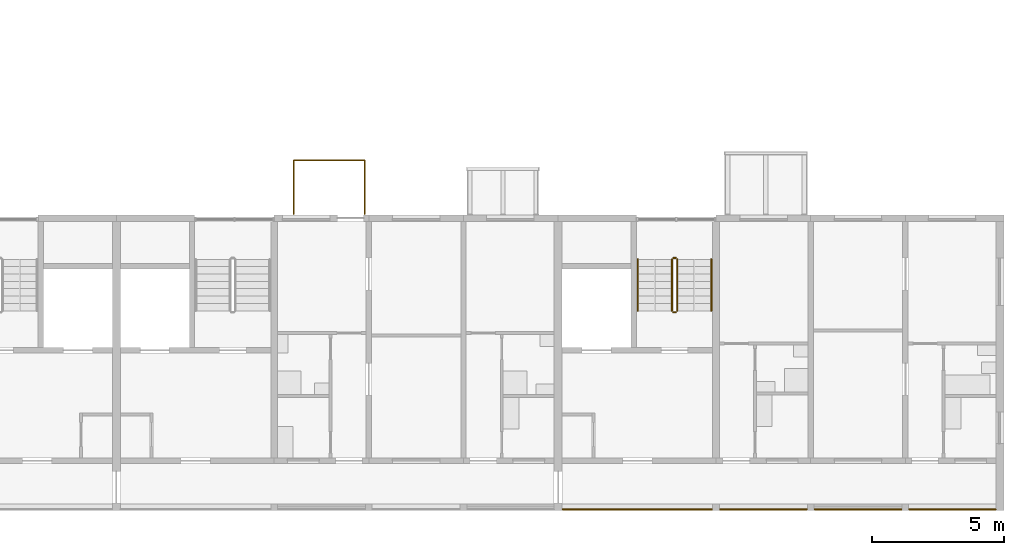
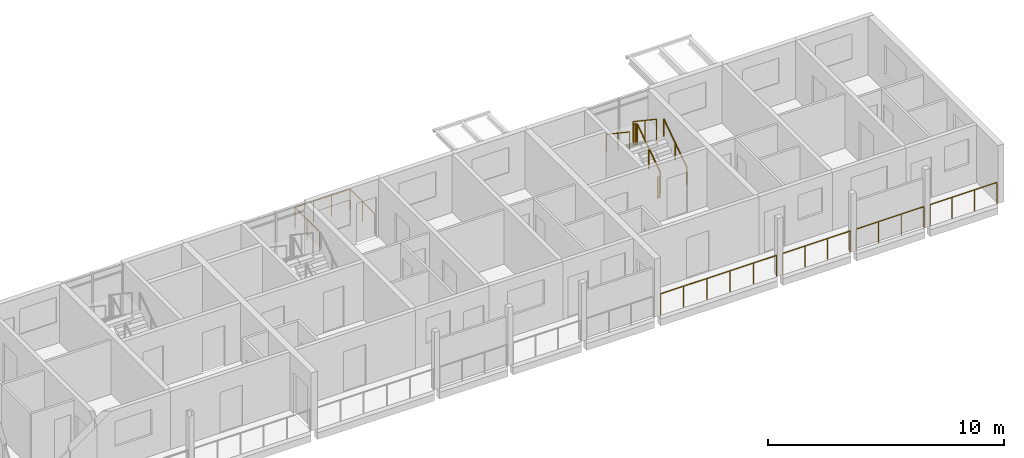
# One storey, part 89 of 94: 11 railings.
"""IFC4 building model written with IfcOpenShell, lengths in metres."""

from ifc_helpers import new_model, si_unit, direction, frame, origin, origin_2d, place, context, subcontext, project, spatial, circle, extrude, material, type_object, element, save


model = new_model("IFC4")

# Units and contexts
model_context = context("Model", 3, precision=1e-05, world=origin(), true_north=direction((0.0, 1.0)))
body_context = subcontext(model_context, "Body", "Model", "MODEL_VIEW")
ifc_project = project(units=[si_unit("LENGTHUNIT", "METRE"), si_unit("AREAUNIT", "SQUARE_METRE"), si_unit("VOLUMEUNIT", "CUBIC_METRE"), si_unit("PLANEANGLEUNIT", "RADIAN"), si_unit("MASSUNIT", "GRAM", prefix="KILO")], contexts=[model_context])

# Site, building, storey
site_placement = place(None, origin())
site = spatial("IfcSite", under=ifc_project, at=site_placement, CompositionType="ELEMENT")
building_placement = place(site_placement, origin())
building = spatial("IfcBuilding", under=site, at=building_placement, Name="Ridgestep Commons", CompositionType="ELEMENT")
storey_placement = place(building_placement, frame((0.0, 0.0, 24.0)))
storey = spatial("IfcBuildingStorey", under=building, at=storey_placement, Name="L08", CompositionType="ELEMENT", Elevation=24.0)

# Railings
ifc_material_1 = material(Name="Structural steel S355JR", Category="steel")
railing_type_1 = type_object("IfcRailingType", Name="Guard 1100", PredefinedType="GUARDRAIL", material=ifc_material_1)
railing_1_placement = place(storey_placement, frame((230.970947265625, 11.800048828125, 0.0)))
element("IfcRailing", 1, at=railing_1_placement, inside=storey, type_object=railing_type_1, Name="Gallery guard D 08.21", PredefinedType="GUARDRAIL", context=body_context, shape_type="SweptSolid", body=[
    extrude(circle(Radius=0.02392578125, at=origin_2d()), frame((0.0, 0.0, 1.076171875), z_axis=(1.0, 0.0, 0.0), x_axis=(0.0, 1.0, 0.0)), (0.0, 0.0, 1.0), 5.68310546875),
    extrude(circle(Radius=0.02099609375, at=origin_2d()), origin(), (0.0, 0.0, 1.0), 1.052001953125),
    extrude(circle(Radius=0.02099609375, at=origin_2d()), frame((1.13671875, 0.0, 0.0)), (0.0, 0.0, 1.0), 1.052001953125),
    extrude(circle(Radius=0.02099609375, at=origin_2d()), frame((2.273193359375, 0.0, 0.0)), (0.0, 0.0, 1.0), 1.052001953125),
    extrude(circle(Radius=0.02099609375, at=origin_2d()), frame((3.409912109375, 0.0, 0.0)), (0.0, 0.0, 1.0), 1.052001953125),
    extrude(circle(Radius=0.02099609375, at=origin_2d()), frame((4.54638671875, 0.0, 0.0)), (0.0, 0.0, 1.0), 1.052001953125),
    extrude(circle(Radius=0.02099609375, at=origin_2d()), frame((5.68310546875, 0.0, 0.0)), (0.0, 0.0, 1.0), 1.052001953125),
])
railing_2_placement = place(storey_placement, frame((236.946044921875, 11.800048828125, 0.0)))
element("IfcRailing", 2, at=railing_2_placement, inside=storey, type_object=railing_type_1, Name="Gallery guard D 08.22", PredefinedType="GUARDRAIL", context=body_context, shape_type="SweptSolid", body=[
    extrude(circle(Radius=0.02392578125, at=origin_2d()), frame((0.0, 0.0, 1.076171875), z_axis=(1.0, 0.0, 0.0), x_axis=(0.0, 1.0, 0.0)), (0.0, 0.0, 1.0), 3.307861328125),
    extrude(circle(Radius=0.02099609375, at=origin_2d()), origin(), (0.0, 0.0, 1.0), 1.052001953125),
    extrude(circle(Radius=0.02099609375, at=origin_2d()), frame((1.1025390625, 0.0, 0.0)), (0.0, 0.0, 1.0), 1.052001953125),
    extrude(circle(Radius=0.02099609375, at=origin_2d()), frame((2.205322265625, 0.0, 0.0)), (0.0, 0.0, 1.0), 1.052001953125),
    extrude(circle(Radius=0.02099609375, at=origin_2d()), frame((3.307861328125, 0.0, 0.0)), (0.0, 0.0, 1.0), 1.052001953125),
])
railing_3_placement = place(storey_placement, frame((240.5458984375, 11.800048828125, 0.0)))
element("IfcRailing", 3, at=railing_3_placement, inside=storey, type_object=railing_type_1, Name="Gallery guard D 08.23", PredefinedType="GUARDRAIL", context=body_context, shape_type="SweptSolid", body=[
    extrude(circle(Radius=0.02392578125, at=origin_2d()), frame((0.0, 0.0, 1.076171875), z_axis=(1.0, 0.0, 0.0), x_axis=(0.0, 1.0, 0.0)), (0.0, 0.0, 1.0), 3.30810546875),
    extrude(circle(Radius=0.02099609375, at=origin_2d()), origin(), (0.0, 0.0, 1.0), 1.052001953125),
    extrude(circle(Radius=0.02099609375, at=origin_2d()), frame((1.102783203125, 0.0, 0.0)), (0.0, 0.0, 1.0), 1.052001953125),
    extrude(circle(Radius=0.02099609375, at=origin_2d()), frame((2.205322265625, 0.0, 0.0)), (0.0, 0.0, 1.0), 1.052001953125),
    extrude(circle(Radius=0.02099609375, at=origin_2d()), frame((3.30810546875, 0.0, 0.0)), (0.0, 0.0, 1.0), 1.052001953125),
])
railing_4_placement = place(storey_placement, frame((244.14599609375, 11.800048828125, 0.0)))
element("IfcRailing", 4, at=railing_4_placement, inside=storey, type_object=railing_type_1, Name="Gallery guard D 08.24", PredefinedType="GUARDRAIL", context=body_context, shape_type="SweptSolid", body=[
    extrude(circle(Radius=0.02392578125, at=origin_2d()), frame((0.0, 0.0, 1.076171875), z_axis=(1.0, 0.0, 0.0), x_axis=(0.0, 1.0, 0.0)), (0.0, 0.0, 1.0), 3.282958984375),
    extrude(circle(Radius=0.02099609375, at=origin_2d()), origin(), (0.0, 0.0, 1.0), 1.052001953125),
    extrude(circle(Radius=0.02099609375, at=origin_2d()), frame((1.09423828125, 0.0, 0.0)), (0.0, 0.0, 1.0), 1.052001953125),
    extrude(circle(Radius=0.02099609375, at=origin_2d()), frame((2.188720703125, 0.0, 0.0)), (0.0, 0.0, 1.0), 1.052001953125),
    extrude(circle(Radius=0.02099609375, at=origin_2d()), frame((3.282958984375, 0.0, 0.0)), (0.0, 0.0, 1.0), 1.052001953125),
])
ifc_material_2 = material(Name="Structural steel S355JR", Category="steel")
railing_type_2 = type_object("IfcRailingType", Name="Stair guard 1100", PredefinedType="GUARDRAIL", material=ifc_material_2)
railing_5_placement = place(storey_placement, frame((235.324951171875, 19.35009765625, 0.1875)))
element("IfcRailing", 5, at=railing_5_placement, inside=storey, type_object=railing_type_2, Name="L08 D6C stair guard 1", PredefinedType="GUARDRAIL", context=body_context, shape_type="SweptSolid", body=[
    extrude(circle(Radius=0.02392578125, at=origin_2d()), frame((0.0, 0.0, 1.076171875), z_axis=(0.0, 0.830902050051, 0.556418712142), x_axis=(-1.0, 0.0, 0.0)), (0.0, 0.0, 1.0), 2.35888671875),
    extrude(circle(Radius=0.02099609375, at=origin_2d()), origin(), (0.0, 0.0, 1.0), 1.052001953125),
    extrude(circle(Radius=0.02099609375, at=origin_2d()), frame((0.0, 0.97998046875, 0.65625)), (0.0, 0.0, 1.0), 1.052001953125),
    extrude(circle(Radius=0.02099609375, at=origin_2d()), frame((0.0, 1.9599609375, 1.3125)), (0.0, 0.0, 1.0), 1.052001953125),
])
railing_6_placement = place(storey_placement, frame((235.27490234375, 21.360107421875, 1.5)))
element("IfcRailing", 6, at=railing_6_placement, inside=storey, type_object=railing_type_2, Name="L08 D6C stair guard 2", PredefinedType="GUARDRAIL", context=body_context, shape_type="SweptSolid", body=[
    extrude(circle(Radius=0.02392578125, at=origin_2d()), frame((0.0, 0.0, 1.076171875), z_axis=(-1.0, 0.0, 0.0), x_axis=(0.0, -1.0, 0.0)), (0.0, 0.0, 1.0), 0.099853515625),
    extrude(circle(Radius=0.02099609375, at=origin_2d()), origin(), (0.0, 0.0, 1.0), 1.052001953125),
    extrude(circle(Radius=0.02099609375, at=origin_2d()), frame((-0.099853515625, 0.0, 0.0)), (0.0, 0.0, 1.0), 1.052001953125),
])
railing_7_placement = place(storey_placement, frame((235.125, 21.31005859375, 1.6875)))
element("IfcRailing", 7, at=railing_7_placement, inside=storey, type_object=railing_type_2, Name="L08 D6C stair guard 3", PredefinedType="GUARDRAIL", context=body_context, shape_type="SweptSolid", body=[
    extrude(circle(Radius=0.02392578125, at=origin_2d()), frame((0.0, 0.0, 1.076171875), z_axis=(0.0, -0.830902050051, 0.556418712142), x_axis=(1.0, 0.0, 0.0)), (0.0, 0.0, 1.0), 2.35888671875),
    extrude(circle(Radius=0.02099609375, at=origin_2d()), origin(), (0.0, 0.0, 1.0), 1.052001953125),
    extrude(circle(Radius=0.02099609375, at=origin_2d()), frame((0.0, -0.97998046875, 0.65625)), (0.0, 0.0, 1.0), 1.052001953125),
    extrude(circle(Radius=0.02099609375, at=origin_2d()), frame((0.0, -1.9599609375, 1.3125)), (0.0, 0.0, 1.0), 1.052001953125),
])
railing_8_placement = place(storey_placement, frame((235.27490234375, 19.300048828125, 0.0)))
element("IfcRailing", 8, at=railing_8_placement, inside=storey, type_object=railing_type_2, Name="L08 D6C stair guard 4", PredefinedType="GUARDRAIL", context=body_context, shape_type="SweptSolid", body=[
    extrude(circle(Radius=0.02392578125, at=origin_2d()), frame((0.0, 0.0, 1.076171875), z_axis=(-1.0, 0.0, 0.0), x_axis=(0.0, -1.0, 0.0)), (0.0, 0.0, 1.0), 0.099853515625),
    extrude(circle(Radius=0.02099609375, at=origin_2d()), origin(), (0.0, 0.0, 1.0), 1.052001953125),
    extrude(circle(Radius=0.02099609375, at=origin_2d()), frame((-0.099853515625, 0.0, 0.0)), (0.0, 0.0, 1.0), 1.052001953125),
])
ifc_material_3 = material(Name="Structural steel S355JR", Category="steel")
railing_type_3 = type_object("IfcRailingType", Name="Stair handrail 900", PredefinedType="HANDRAIL", material=ifc_material_3)
railing_9_placement = place(storey_placement, frame((236.625, 19.35009765625, 0.1875)))
element("IfcRailing", 9, at=railing_9_placement, inside=storey, type_object=railing_type_3, Name="L08 D6C stair handrail 1", PredefinedType="HANDRAIL", context=body_context, shape_type="SweptSolid", body=[
    extrude(circle(Radius=0.02392578125, at=origin_2d()), frame((0.0, 0.0, 0.8759765625), z_axis=(0.0, 0.830902050051, 0.556418712142), x_axis=(-1.0, 0.0, 0.0)), (0.0, 0.0, 1.0), 2.35888671875),
    extrude(circle(Radius=0.02099609375, at=origin_2d()), origin(), (0.0, 0.0, 1.0), 0.851806640625),
    extrude(circle(Radius=0.02099609375, at=origin_2d()), frame((0.0, 0.97998046875, 0.65625)), (0.0, 0.0, 1.0), 0.851806640625),
    extrude(circle(Radius=0.02099609375, at=origin_2d()), frame((0.0, 1.9599609375, 1.3125)), (0.0, 0.0, 1.0), 0.851806640625),
])
railing_10_placement = place(storey_placement, frame((233.824951171875, 21.31005859375, 1.6875)))
element("IfcRailing", 10, at=railing_10_placement, inside=storey, type_object=railing_type_3, Name="L08 D6C stair handrail 2", PredefinedType="HANDRAIL", context=body_context, shape_type="SweptSolid", body=[
    extrude(circle(Radius=0.02392578125, at=origin_2d()), frame((0.0, 0.0, 0.8759765625), z_axis=(0.0, -0.830902050051, 0.556418712142), x_axis=(1.0, 0.0, 0.0)), (0.0, 0.0, 1.0), 2.35888671875),
    extrude(circle(Radius=0.02099609375, at=origin_2d()), origin(), (0.0, 0.0, 1.0), 0.851806640625),
    extrude(circle(Radius=0.02099609375, at=origin_2d()), frame((0.0, -0.97998046875, 0.65625)), (0.0, 0.0, 1.0), 0.851806640625),
    extrude(circle(Radius=0.02099609375, at=origin_2d()), frame((0.0, -1.9599609375, 1.3125)), (0.0, 0.0, 1.0), 0.851806640625),
])
ifc_material_4 = material(Name="Weathering steel S355J2W", Category="steel")
railing_type_4 = type_object("IfcRailingType", Name="Tray guard 1100", PredefinedType="GUARDRAIL", material=ifc_material_4)
railing_11_placement = place(storey_placement, frame((220.7509765625, 23.02099609375, 0.0)))
element("IfcRailing", 11, at=railing_11_placement, inside=storey, type_object=railing_type_4, Name="Tray guard D5T3-08", PredefinedType="GUARDRAIL", context=body_context, shape_type="SweptSolid", body=[
    extrude(circle(Radius=0.02392578125, at=origin_2d()), frame((0.0, 0.0, 1.076171875), z_axis=(0.0, 1.0, 0.0), x_axis=(-1.0, 0.0, 0.0)), (0.0, 0.0, 1.0), 2.05810546875),
    extrude(circle(Radius=0.02392578125, at=origin_2d()), frame((0.0, 2.05810546875, 1.076171875), z_axis=(1.0, 0.0, 0.0), x_axis=(0.0, 1.0, 0.0)), (0.0, 0.0, 1.0), 2.697998046875),
    extrude(circle(Radius=0.02392578125, at=origin_2d()), frame((2.697998046875, 2.05810546875, 1.076171875), z_axis=(0.0, -1.0, 0.0), x_axis=(1.0, 0.0, 0.0)), (0.0, 0.0, 1.0), 2.05810546875),
    extrude(circle(Radius=0.02099609375, at=origin_2d()), origin(), (0.0, 0.0, 1.0), 1.052001953125),
    extrude(circle(Radius=0.02099609375, at=origin_2d()), frame((0.0, 1.029052734375, 0.0)), (0.0, 0.0, 1.0), 1.052001953125),
    extrude(circle(Radius=0.02099609375, at=origin_2d()), frame((0.0, 2.05810546875, 0.0)), (0.0, 0.0, 1.0), 1.052001953125),
    extrude(circle(Radius=0.02099609375, at=origin_2d()), frame((0.8994140625, 2.05810546875, 0.0)), (0.0, 0.0, 1.0), 1.052001953125),
    extrude(circle(Radius=0.02099609375, at=origin_2d()), frame((1.798583984375, 2.05810546875, 0.0)), (0.0, 0.0, 1.0), 1.052001953125),
    extrude(circle(Radius=0.02099609375, at=origin_2d()), frame((2.697998046875, 2.05810546875, 0.0)), (0.0, 0.0, 1.0), 1.052001953125),
    extrude(circle(Radius=0.02099609375, at=origin_2d()), frame((2.697998046875, 1.029052734375, 0.0)), (0.0, 0.0, 1.0), 1.052001953125),
    extrude(circle(Radius=0.02099609375, at=origin_2d()), frame((2.697998046875, 0.0, 0.0)), (0.0, 0.0, 1.0), 1.052001953125),
])

save(model, "model.ifc")
